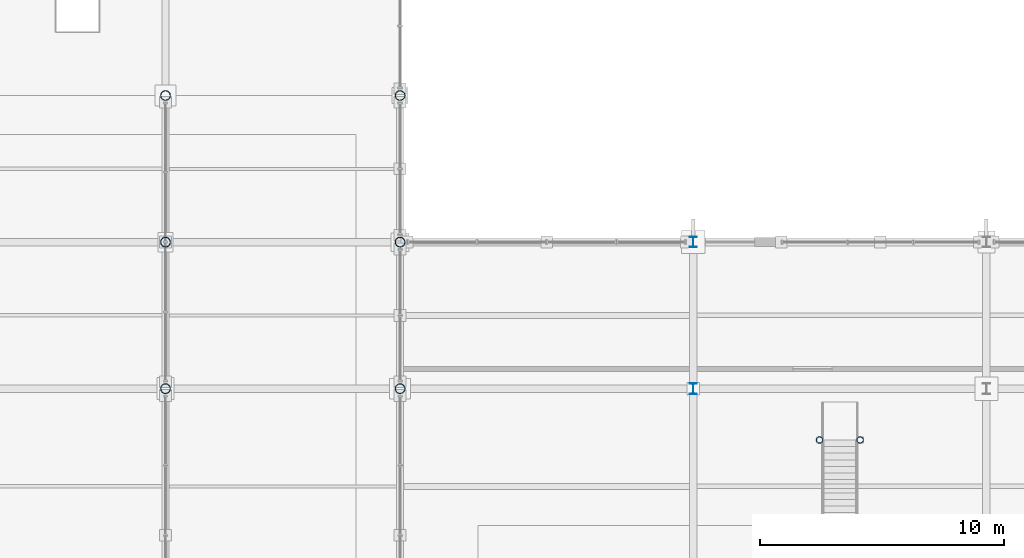
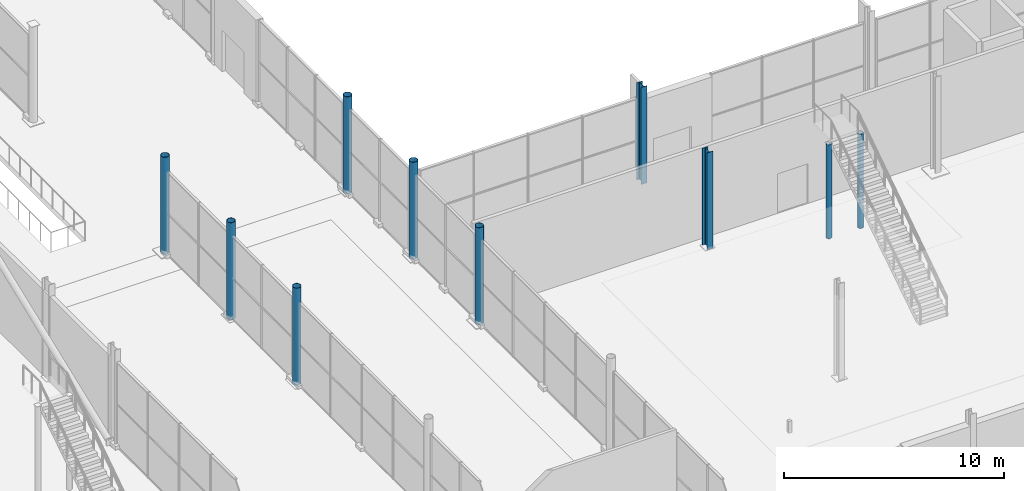
# One storey, part 7 of 196: 10 columns.
"""IFC4 building model written with IfcOpenShell, lengths in metres."""

from ifc_helpers import new_model, si_unit, direction, frame, origin, origin_2d, place, context, subcontext, project, spatial, hollow_circle, i_section, extrude, material, material_profile, profile_set, type_object, element, save


model = new_model("IFC4")

# Units and contexts
model_context = context("Model", 3, precision=1e-05, world=origin(), true_north=direction((0.0, 1.0)))
body_context = subcontext(model_context, "Body", "Model", "MODEL_VIEW")
ifc_project = project(units=[si_unit("LENGTHUNIT", "METRE"), si_unit("AREAUNIT", "SQUARE_METRE"), si_unit("VOLUMEUNIT", "CUBIC_METRE"), si_unit("PLANEANGLEUNIT", "RADIAN"), si_unit("MASSUNIT", "GRAM", prefix="KILO")], contexts=[model_context])

# Site, building, storey
site_placement = place(None, origin())
site = spatial("IfcSite", under=ifc_project, at=site_placement, CompositionType="ELEMENT")
building_placement = place(site_placement, origin())
building = spatial("IfcBuilding", under=site, at=building_placement, Name="Merenkruunu Market Hall", CompositionType="ELEMENT")
storey_placement = place(building_placement, origin())
storey = spatial("IfcBuildingStorey", under=building, at=storey_placement, Name="L00", CompositionType="ELEMENT", Elevation=0.0)

# Columns
ifc_material_1 = material(Name="Steel S355J2", Category="steel")
ifc_material_profile_1 = material_profile(ifc_material_1, i_section(OverallWidth=0.300048828125, OverallDepth=0.43994140625, WebThickness=0.011474609375, FlangeThickness=0.02099609375, FilletRadius=0.027099609375, at=origin_2d()), Name="HEA 450")
ifc_profile_set_1 = profile_set([ifc_material_profile_1], Name="Steel S355J2")
column_type_1 = type_object("IfcColumnType", Name="Structural Column C07", PredefinedType="COLUMN", material=ifc_profile_set_1)
for number, where, z_axis, x_axis, name in (
    (1, (88.800048828125, 39.60009765625, 0.0), (0.0, 0.0, 1.0), (1.0, 0.0, 0.0), "COL-L00-K-05"),
    (2, (88.800048828125, 45.60009765625, 0.0), (0.0, 0.0, 1.0), (1.0, 0.0, 0.0), "COL-L00-K-06"),
):
    element("IfcColumn", number, at=place(storey_placement, frame(where, z_axis=z_axis, x_axis=x_axis)), inside=storey, type_object=column_type_1, Name=name, PredefinedType="COLUMN", context=body_context, shape_type="SweptSolid", body=[
        extrude(i_section(OverallWidth=0.300048828125, OverallDepth=0.43994140625, WebThickness=0.011474609375, FlangeThickness=0.02099609375, FilletRadius=0.027099609375, at=origin_2d()), origin(), (0.0, 0.0, 1.0), 5.39990234375),
    ])
ifc_material_2 = material(Name="Steel S355ML", Category="steel")
ifc_material_profile_2 = material_profile(ifc_material_2, hollow_circle(Radius=0.203125, WallThickness=0.01611328125, at=origin_2d()), Name="CHS 406.4x16")
ifc_profile_set_2 = profile_set([ifc_material_profile_2], Name="Steel S355ML")
column_type_2 = type_object("IfcColumnType", Name="Structural Column C12", PredefinedType="COLUMN", material=ifc_profile_set_2)
for number, where, z_axis, x_axis, name in (
    (3, (67.199951171875, 39.60009765625, 0.0), (0.0, 0.0, 1.0), (1.0, 0.0, 0.0), "COL-L00-H-05"),
    (4, (67.199951171875, 45.60009765625, 0.0), (0.0, 0.0, 1.0), (1.0, 0.0, 0.0), "COL-L00-H-06"),
    (5, (67.199951171875, 51.60009765625, 0.0), (0.0, 0.0, 1.0), (1.0, 0.0, 0.0), "COL-L00-H-07"),
    (6, (76.800048828125, 39.60009765625, 0.0), (0.0, 0.0, 1.0), (1.0, 0.0, 0.0), "COL-L00-J-05"),
    (7, (76.800048828125, 45.60009765625, 0.0), (0.0, 0.0, 1.0), (1.0, 0.0, 0.0), "COL-L00-J-06"),
    (8, (76.800048828125, 51.60009765625, 0.0), (0.0, 0.0, 1.0), (1.0, 0.0, 0.0), "COL-L00-J-07"),
):
    element("IfcColumn", number, at=place(storey_placement, frame(where, z_axis=z_axis, x_axis=x_axis)), inside=storey, type_object=column_type_2, Name=name, PredefinedType="COLUMN", context=body_context, shape_type="SweptSolid", body=[
        extrude(hollow_circle(Radius=0.203125, WallThickness=0.01611328125, at=origin_2d()), origin(), (0.0, 0.0, 1.0), 5.39990234375),
    ])
ifc_material_profile_3 = material_profile(ifc_material_2, hollow_circle(Radius=0.136474609375, WallThickness=0.012451171875, at=origin_2d()), Name="CHS 273x12.5")
ifc_profile_set_3 = profile_set([ifc_material_profile_3], Name="Steel S355ML")
column_type_3 = type_object("IfcColumnType", Name="Structural Column C14", PredefinedType="COLUMN", material=ifc_profile_set_3)
for number, where, z_axis, x_axis, name in (
    (9, (93.969970703125, 37.5, 0.0), (0.0, 0.0, 1.0), (1.0, 0.0, 0.0), "COL-FST-4-1-L00"),
    (10, (95.6298828125, 37.5, 0.0), (0.0, 0.0, 1.0), (1.0, 0.0, 0.0), "COL-FST-4-2-L00"),
):
    element("IfcColumn", number, at=place(storey_placement, frame(where, z_axis=z_axis, x_axis=x_axis)), inside=storey, type_object=column_type_3, Name=name, PredefinedType="COLUMN", context=body_context, shape_type="SweptSolid", body=[
        extrude(hollow_circle(Radius=0.136474609375, WallThickness=0.012451171875, at=origin_2d()), origin(), (0.0, 0.0, 1.0), 5.22998046875),
    ])

save(model, "model.ifc")
